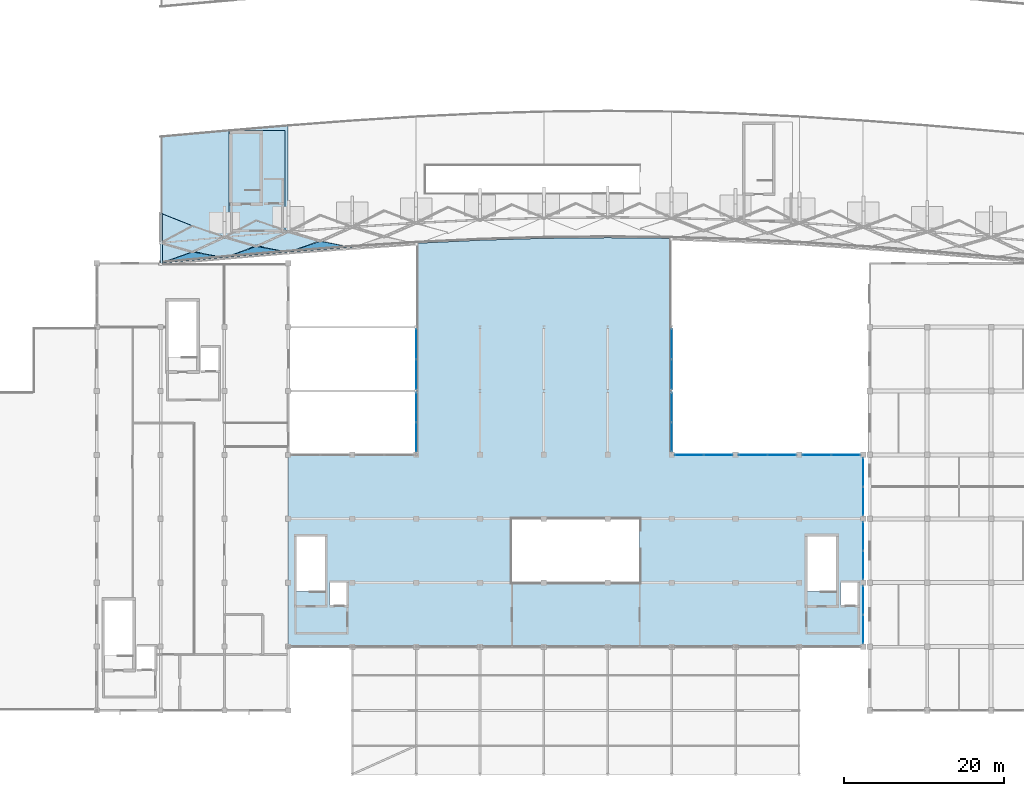
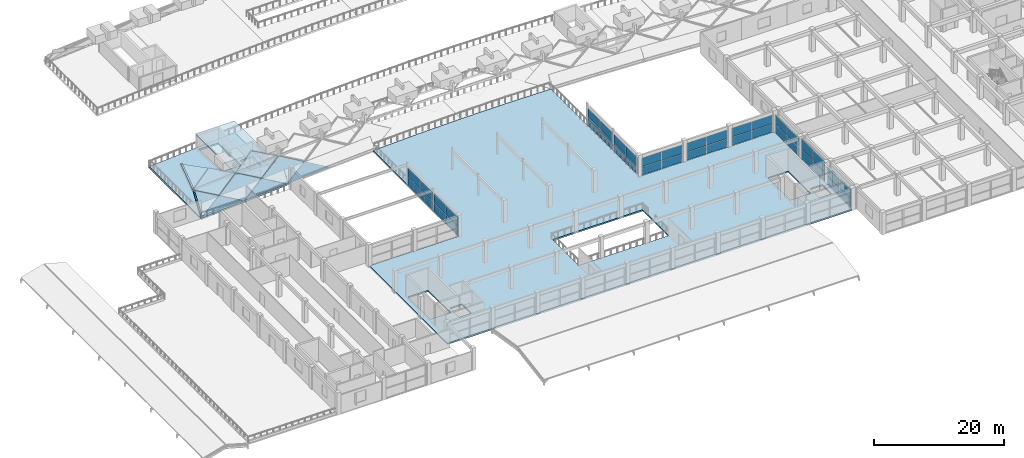
# One storey, part 35 of 67: 51 plates, 3 slabs, 10 elements without a shape of their own.
"""IFC4 building model written with IfcOpenShell, lengths in metres."""

from ifc_helpers import new_model, si_unit, direction, frame, origin, origin_2d, place, context, subcontext, project, spatial, polyline, rectangle, outline, extrude, material, layer, layer_set, type_object, element, aggregate, save


model = new_model("IFC4")

# Units and contexts
model_context = context("Model", 3, precision=1e-05, world=origin(), true_north=direction((0.0, 1.0)))
body_context = subcontext(model_context, "Body", "Model", "MODEL_VIEW")
ifc_project = project(units=[si_unit("LENGTHUNIT", "METRE"), si_unit("AREAUNIT", "SQUARE_METRE"), si_unit("VOLUMEUNIT", "CUBIC_METRE"), si_unit("PLANEANGLEUNIT", "RADIAN"), si_unit("MASSUNIT", "GRAM", prefix="KILO")], contexts=[model_context])

# Site, building, storey
site_placement = place(None, origin())
site = spatial("IfcSite", under=ifc_project, at=site_placement, CompositionType="ELEMENT")
building_placement = place(site_placement, origin())
building = spatial("IfcBuilding", under=site, at=building_placement, Name="Kenh Van Central Station", CompositionType="ELEMENT")
storey_placement = place(building_placement, frame((0.0, 0.0, 10.800048828125)))
storey = spatial("IfcBuildingStorey", under=building, at=storey_placement, Name="L02", CompositionType="ELEMENT", Elevation=10.800048828125)

# Curtain wall, plates
ifc_material_1 = material(Name="Champagne anodised aluminium", Category="aluminium")
curtain_wall_type_1 = type_object("IfcCurtainWallType", Name="CW-CONC-B", PredefinedType="NOTDEFINED", material=ifc_material_1)
curtain_wall_1_placement = place(storey_placement, origin())
curtain_wall_1 = element("IfcCurtainWall", 1, at=curtain_wall_1_placement, inside=storey, type_object=curtain_wall_type_1, Name="L02 curtain wall 170", PredefinedType="NOTDEFINED")
ifc_material_2 = material(Name="Double-glazed low-E laminated solar glass", Category="glass")
ifc_layer_1 = layer(ifc_material_2, 0.028076171875, Name="Double-glazed low-E laminated solar glass")
ifc_layer_set_1 = layer_set([ifc_layer_1], Name="Double-glazed low-E laminated solar glass")
plate_type_1 = type_object("IfcPlateType", Name="CWP-IGU-28", PredefinedType="CURTAIN_PANEL", material=ifc_layer_set_1)
plate_1_placement = place(storey_placement, frame((117.804443359375, 40.0, 0.072021484375), z_axis=(0.0, 0.0, 1.0), x_axis=(-1.0, 0.0, 0.0)))
plate_1 = element("IfcPlate", 2, at=plate_1_placement, type_object=plate_type_1, Name="CW-04 panel 1.1", PredefinedType="CURTAIN_PANEL", context=body_context, shape_type="SweptSolid", body=[
    extrude(rectangle(XDim=3.527099609375, YDim=0.028076171875, at=origin_2d()), origin(), (0.0, 0.0, 1.0), 1.5048828125),
])
plate_2_placement = place(storey_placement, frame((117.804443359375, 40.0, 1.648681640625), z_axis=(0.0, 0.0, 1.0), x_axis=(-1.0, 0.0, 0.0)))
plate_2 = element("IfcPlate", 3, at=plate_2_placement, type_object=plate_type_1, Name="CW-04 panel 1.2", PredefinedType="CURTAIN_PANEL", context=body_context, shape_type="SweptSolid", body=[
    extrude(rectangle(XDim=3.527099609375, YDim=0.028076171875, at=origin_2d()), origin(), (0.0, 0.0, 1.0), 1.63916015625),
])
plate_3_placement = place(storey_placement, frame((114.195556640625, 40.0, 0.072021484375), z_axis=(0.0, 0.0, 1.0), x_axis=(-1.0, 0.0, 0.0)))
plate_3 = element("IfcPlate", 4, at=plate_3_placement, type_object=plate_type_1, Name="CW-04 panel 2.1", PredefinedType="CURTAIN_PANEL", context=body_context, shape_type="SweptSolid", body=[
    extrude(rectangle(XDim=3.527099609375, YDim=0.028076171875, at=origin_2d()), origin(), (0.0, 0.0, 1.0), 1.5048828125),
])
plate_4_placement = place(storey_placement, frame((114.195556640625, 40.0, 1.648681640625), z_axis=(0.0, 0.0, 1.0), x_axis=(-1.0, 0.0, 0.0)))
plate_4 = element("IfcPlate", 5, at=plate_4_placement, type_object=plate_type_1, Name="CW-04 panel 2.2", PredefinedType="CURTAIN_PANEL", context=body_context, shape_type="SweptSolid", body=[
    extrude(rectangle(XDim=3.527099609375, YDim=0.028076171875, at=origin_2d()), origin(), (0.0, 0.0, 1.0), 1.63916015625),
])
aggregate(curtain_wall_1, [plate_1, plate_2, plate_3, plate_4])

curtain_wall_2_placement = place(storey_placement, origin())
curtain_wall_2 = element("IfcCurtainWall", 6, at=curtain_wall_2_placement, inside=storey, type_object=curtain_wall_type_1, Name="L02 curtain wall 171", PredefinedType="NOTDEFINED")
plate_5_placement = place(storey_placement, frame((109.804443359375, 40.0, 0.072021484375), z_axis=(0.0, 0.0, 1.0), x_axis=(-1.0, 0.0, 0.0)))
plate_5 = element("IfcPlate", 7, at=plate_5_placement, type_object=plate_type_1, Name="CW-04 panel 1.1", PredefinedType="CURTAIN_PANEL", context=body_context, shape_type="SweptSolid", body=[
    extrude(rectangle(XDim=3.527099609375, YDim=0.028076171875, at=origin_2d()), origin(), (0.0, 0.0, 1.0), 1.5048828125),
])
plate_6_placement = place(storey_placement, frame((109.804443359375, 40.0, 1.648681640625), z_axis=(0.0, 0.0, 1.0), x_axis=(-1.0, 0.0, 0.0)))
plate_6 = element("IfcPlate", 8, at=plate_6_placement, type_object=plate_type_1, Name="CW-04 panel 1.2", PredefinedType="CURTAIN_PANEL", context=body_context, shape_type="SweptSolid", body=[
    extrude(rectangle(XDim=3.527099609375, YDim=0.028076171875, at=origin_2d()), origin(), (0.0, 0.0, 1.0), 1.63916015625),
])
plate_7_placement = place(storey_placement, frame((106.195556640625, 40.0, 0.072021484375), z_axis=(0.0, 0.0, 1.0), x_axis=(-1.0, 0.0, 0.0)))
plate_7 = element("IfcPlate", 9, at=plate_7_placement, type_object=plate_type_1, Name="CW-04 panel 2.1", PredefinedType="CURTAIN_PANEL", context=body_context, shape_type="SweptSolid", body=[
    extrude(rectangle(XDim=3.527099609375, YDim=0.028076171875, at=origin_2d()), origin(), (0.0, 0.0, 1.0), 1.5048828125),
])
plate_8_placement = place(storey_placement, frame((106.195556640625, 40.0, 1.648681640625), z_axis=(0.0, 0.0, 1.0), x_axis=(-1.0, 0.0, 0.0)))
plate_8 = element("IfcPlate", 10, at=plate_8_placement, type_object=plate_type_1, Name="CW-04 panel 2.2", PredefinedType="CURTAIN_PANEL", context=body_context, shape_type="SweptSolid", body=[
    extrude(rectangle(XDim=3.527099609375, YDim=0.028076171875, at=origin_2d()), origin(), (0.0, 0.0, 1.0), 1.63916015625),
])
aggregate(curtain_wall_2, [plate_5, plate_6, plate_7, plate_8])

curtain_wall_3_placement = place(storey_placement, origin())
curtain_wall_3 = element("IfcCurtainWall", 11, at=curtain_wall_3_placement, inside=storey, type_object=curtain_wall_type_1, Name="L02 curtain wall 172", PredefinedType="NOTDEFINED")
plate_9_placement = place(storey_placement, frame((101.804443359375, 40.0, 0.072021484375), z_axis=(0.0, 0.0, 1.0), x_axis=(-1.0, 0.0, 0.0)))
plate_9 = element("IfcPlate", 12, at=plate_9_placement, type_object=plate_type_1, Name="CW-04 panel 1.1", PredefinedType="CURTAIN_PANEL", context=body_context, shape_type="SweptSolid", body=[
    extrude(rectangle(XDim=3.527099609375, YDim=0.028076171875, at=origin_2d()), origin(), (0.0, 0.0, 1.0), 1.5048828125),
])
plate_10_placement = place(storey_placement, frame((101.804443359375, 40.0, 1.648681640625), z_axis=(0.0, 0.0, 1.0), x_axis=(-1.0, 0.0, 0.0)))
plate_10 = element("IfcPlate", 13, at=plate_10_placement, type_object=plate_type_1, Name="CW-04 panel 1.2", PredefinedType="CURTAIN_PANEL", context=body_context, shape_type="SweptSolid", body=[
    extrude(rectangle(XDim=3.527099609375, YDim=0.028076171875, at=origin_2d()), origin(), (0.0, 0.0, 1.0), 1.63916015625),
])
plate_11_placement = place(storey_placement, frame((98.195556640625, 40.0, 0.072021484375), z_axis=(0.0, 0.0, 1.0), x_axis=(-1.0, 0.0, 0.0)))
plate_11 = element("IfcPlate", 14, at=plate_11_placement, type_object=plate_type_1, Name="CW-04 panel 2.1", PredefinedType="CURTAIN_PANEL", context=body_context, shape_type="SweptSolid", body=[
    extrude(rectangle(XDim=3.527099609375, YDim=0.028076171875, at=origin_2d()), origin(), (0.0, 0.0, 1.0), 1.5048828125),
])
plate_12_placement = place(storey_placement, frame((98.195556640625, 40.0, 1.648681640625), z_axis=(0.0, 0.0, 1.0), x_axis=(-1.0, 0.0, 0.0)))
plate_12 = element("IfcPlate", 15, at=plate_12_placement, type_object=plate_type_1, Name="CW-04 panel 2.2", PredefinedType="CURTAIN_PANEL", context=body_context, shape_type="SweptSolid", body=[
    extrude(rectangle(XDim=3.527099609375, YDim=0.028076171875, at=origin_2d()), origin(), (0.0, 0.0, 1.0), 1.63916015625),
])
aggregate(curtain_wall_3, [plate_9, plate_10, plate_11, plate_12])

curtain_wall_type_2 = type_object("IfcCurtainWallType", Name="CW-CONC-A", PredefinedType="NOTDEFINED", material=ifc_material_1)
curtain_wall_4_placement = place(storey_placement, origin())
curtain_wall_4 = element("IfcCurtainWall", 16, at=curtain_wall_4_placement, inside=storey, type_object=curtain_wall_type_2, Name="L02 curtain wall 173", PredefinedType="NOTDEFINED")
plate_13_placement = place(storey_placement, frame((64.0, 53.90380859375, 0.072021484375), z_axis=(0.0, 0.0, 1.0), x_axis=(0.0, -1.0, 0.0)))
plate_13 = element("IfcPlate", 17, at=plate_13_placement, type_object=plate_type_1, Name="CW-03 panel 1.1", PredefinedType="CURTAIN_PANEL", context=body_context, shape_type="SweptSolid", body=[
    extrude(rectangle(XDim=3.722412109375, YDim=0.028076171875, at=origin_2d()), origin(), (0.0, 0.0, 1.0), 1.5048828125),
])
plate_14_placement = place(storey_placement, frame((64.0, 53.90380859375, 1.648681640625), z_axis=(0.0, 0.0, 1.0), x_axis=(0.0, -1.0, 0.0)))
plate_14 = element("IfcPlate", 18, at=plate_14_placement, type_object=plate_type_1, Name="CW-03 panel 1.2", PredefinedType="CURTAIN_PANEL", context=body_context, shape_type="SweptSolid", body=[
    extrude(rectangle(XDim=3.722412109375, YDim=0.028076171875, at=origin_2d()), origin(), (0.0, 0.0, 1.0), 1.63916015625),
])
plate_15_placement = place(storey_placement, frame((64.0, 50.09619140625, 0.072021484375), z_axis=(0.0, 0.0, 1.0), x_axis=(0.0, -1.0, 0.0)))
plate_15 = element("IfcPlate", 19, at=plate_15_placement, type_object=plate_type_1, Name="CW-03 panel 2.1", PredefinedType="CURTAIN_PANEL", context=body_context, shape_type="SweptSolid", body=[
    extrude(rectangle(XDim=3.722412109375, YDim=0.028076171875, at=origin_2d()), origin(), (0.0, 0.0, 1.0), 1.5048828125),
])
plate_16_placement = place(storey_placement, frame((64.0, 50.09619140625, 1.648681640625), z_axis=(0.0, 0.0, 1.0), x_axis=(0.0, -1.0, 0.0)))
plate_16 = element("IfcPlate", 20, at=plate_16_placement, type_object=plate_type_1, Name="CW-03 panel 2.2", PredefinedType="CURTAIN_PANEL", context=body_context, shape_type="SweptSolid", body=[
    extrude(rectangle(XDim=3.722412109375, YDim=0.028076171875, at=origin_2d()), origin(), (0.0, 0.0, 1.0), 1.63916015625),
])
aggregate(curtain_wall_4, [plate_13, plate_14, plate_15, plate_16])

curtain_wall_5_placement = place(storey_placement, origin())
curtain_wall_5 = element("IfcCurtainWall", 21, at=curtain_wall_5_placement, inside=storey, type_object=curtain_wall_type_2, Name="L02 curtain wall 174", PredefinedType="NOTDEFINED")
plate_17_placement = place(storey_placement, frame((64.0, 45.953857421875, 0.072021484375), z_axis=(0.0, 0.0, 1.0), x_axis=(0.0, -1.0, 0.0)))
plate_17 = element("IfcPlate", 22, at=plate_17_placement, type_object=plate_type_1, Name="CW-03 panel 1.1", PredefinedType="CURTAIN_PANEL", context=body_context, shape_type="SweptSolid", body=[
    extrude(rectangle(XDim=3.62255859375, YDim=0.028076171875, at=origin_2d()), origin(), (0.0, 0.0, 1.0), 1.5048828125),
])
plate_18_placement = place(storey_placement, frame((64.0, 45.953857421875, 1.648681640625), z_axis=(0.0, 0.0, 1.0), x_axis=(0.0, -1.0, 0.0)))
plate_18 = element("IfcPlate", 23, at=plate_18_placement, type_object=plate_type_1, Name="CW-03 panel 1.2", PredefinedType="CURTAIN_PANEL", context=body_context, shape_type="SweptSolid", body=[
    extrude(rectangle(XDim=3.62255859375, YDim=0.028076171875, at=origin_2d()), origin(), (0.0, 0.0, 1.0), 1.63916015625),
])
plate_19_placement = place(storey_placement, frame((64.0, 42.246337890625, 0.072021484375), z_axis=(0.0, 0.0, 1.0), x_axis=(0.0, -1.0, 0.0)))
plate_19 = element("IfcPlate", 24, at=plate_19_placement, type_object=plate_type_1, Name="CW-03 panel 2.1", PredefinedType="CURTAIN_PANEL", context=body_context, shape_type="SweptSolid", body=[
    extrude(rectangle(XDim=3.62255859375, YDim=0.028076171875, at=origin_2d()), origin(), (0.0, 0.0, 1.0), 1.5048828125),
])
plate_20_placement = place(storey_placement, frame((64.0, 42.246337890625, 1.648681640625), z_axis=(0.0, 0.0, 1.0), x_axis=(0.0, -1.0, 0.0)))
plate_20 = element("IfcPlate", 25, at=plate_20_placement, type_object=plate_type_1, Name="CW-03 panel 2.2", PredefinedType="CURTAIN_PANEL", context=body_context, shape_type="SweptSolid", body=[
    extrude(rectangle(XDim=3.62255859375, YDim=0.028076171875, at=origin_2d()), origin(), (0.0, 0.0, 1.0), 1.63916015625),
])
aggregate(curtain_wall_5, [plate_17, plate_18, plate_19, plate_20])

curtain_wall_6_placement = place(storey_placement, origin())
curtain_wall_6 = element("IfcCurtainWall", 26, at=curtain_wall_6_placement, inside=storey, type_object=curtain_wall_type_1, Name="L02 curtain wall 175", PredefinedType="NOTDEFINED")
plate_21_placement = place(storey_placement, frame((96.0, 42.246337890625, 0.072021484375), z_axis=(0.0, 0.0, 1.0), x_axis=(0.0, 1.0, 0.0)))
plate_21 = element("IfcPlate", 27, at=plate_21_placement, type_object=plate_type_1, Name="CW-04 panel 1.1", PredefinedType="CURTAIN_PANEL", context=body_context, shape_type="SweptSolid", body=[
    extrude(rectangle(XDim=3.62255859375, YDim=0.028076171875, at=origin_2d()), origin(), (0.0, 0.0, 1.0), 1.5048828125),
])
plate_22_placement = place(storey_placement, frame((96.0, 42.246337890625, 1.648681640625), z_axis=(0.0, 0.0, 1.0), x_axis=(0.0, 1.0, 0.0)))
plate_22 = element("IfcPlate", 28, at=plate_22_placement, type_object=plate_type_1, Name="CW-04 panel 1.2", PredefinedType="CURTAIN_PANEL", context=body_context, shape_type="SweptSolid", body=[
    extrude(rectangle(XDim=3.62255859375, YDim=0.028076171875, at=origin_2d()), origin(), (0.0, 0.0, 1.0), 1.63916015625),
])
plate_23_placement = place(storey_placement, frame((96.0, 45.953857421875, 0.072021484375), z_axis=(0.0, 0.0, 1.0), x_axis=(0.0, 1.0, 0.0)))
plate_23 = element("IfcPlate", 29, at=plate_23_placement, type_object=plate_type_1, Name="CW-04 panel 2.1", PredefinedType="CURTAIN_PANEL", context=body_context, shape_type="SweptSolid", body=[
    extrude(rectangle(XDim=3.62255859375, YDim=0.028076171875, at=origin_2d()), origin(), (0.0, 0.0, 1.0), 1.5048828125),
])
plate_24_placement = place(storey_placement, frame((96.0, 45.953857421875, 1.648681640625), z_axis=(0.0, 0.0, 1.0), x_axis=(0.0, 1.0, 0.0)))
plate_24 = element("IfcPlate", 30, at=plate_24_placement, type_object=plate_type_1, Name="CW-04 panel 2.2", PredefinedType="CURTAIN_PANEL", context=body_context, shape_type="SweptSolid", body=[
    extrude(rectangle(XDim=3.62255859375, YDim=0.028076171875, at=origin_2d()), origin(), (0.0, 0.0, 1.0), 1.63916015625),
])
aggregate(curtain_wall_6, [plate_21, plate_22, plate_23, plate_24])

curtain_wall_7_placement = place(storey_placement, origin())
curtain_wall_7 = element("IfcCurtainWall", 31, at=curtain_wall_7_placement, inside=storey, type_object=curtain_wall_type_1, Name="L02 curtain wall 176", PredefinedType="NOTDEFINED")
plate_25_placement = place(storey_placement, frame((96.0, 50.09619140625, 0.072021484375), z_axis=(0.0, 0.0, 1.0), x_axis=(0.0, 1.0, 0.0)))
plate_25 = element("IfcPlate", 32, at=plate_25_placement, type_object=plate_type_1, Name="CW-04 panel 1.1", PredefinedType="CURTAIN_PANEL", context=body_context, shape_type="SweptSolid", body=[
    extrude(rectangle(XDim=3.722412109375, YDim=0.028076171875, at=origin_2d()), origin(), (0.0, 0.0, 1.0), 1.5048828125),
])
plate_26_placement = place(storey_placement, frame((96.0, 50.09619140625, 1.648681640625), z_axis=(0.0, 0.0, 1.0), x_axis=(0.0, 1.0, 0.0)))
plate_26 = element("IfcPlate", 33, at=plate_26_placement, type_object=plate_type_1, Name="CW-04 panel 1.2", PredefinedType="CURTAIN_PANEL", context=body_context, shape_type="SweptSolid", body=[
    extrude(rectangle(XDim=3.722412109375, YDim=0.028076171875, at=origin_2d()), origin(), (0.0, 0.0, 1.0), 1.63916015625),
])
plate_27_placement = place(storey_placement, frame((96.0, 53.90380859375, 0.072021484375), z_axis=(0.0, 0.0, 1.0), x_axis=(0.0, 1.0, 0.0)))
plate_27 = element("IfcPlate", 34, at=plate_27_placement, type_object=plate_type_1, Name="CW-04 panel 2.1", PredefinedType="CURTAIN_PANEL", context=body_context, shape_type="SweptSolid", body=[
    extrude(rectangle(XDim=3.722412109375, YDim=0.028076171875, at=origin_2d()), origin(), (0.0, 0.0, 1.0), 1.5048828125),
])
plate_28_placement = place(storey_placement, frame((96.0, 53.90380859375, 1.648681640625), z_axis=(0.0, 0.0, 1.0), x_axis=(0.0, 1.0, 0.0)))
plate_28 = element("IfcPlate", 35, at=plate_28_placement, type_object=plate_type_1, Name="CW-04 panel 2.2", PredefinedType="CURTAIN_PANEL", context=body_context, shape_type="SweptSolid", body=[
    extrude(rectangle(XDim=3.722412109375, YDim=0.028076171875, at=origin_2d()), origin(), (0.0, 0.0, 1.0), 1.63916015625),
])
aggregate(curtain_wall_7, [plate_25, plate_26, plate_27, plate_28])

curtain_wall_8_placement = place(storey_placement, origin())
curtain_wall_8 = element("IfcCurtainWall", 36, at=curtain_wall_8_placement, inside=storey, type_object=curtain_wall_type_1, Name="L02 curtain wall 177", PredefinedType="NOTDEFINED")
plate_29_placement = place(storey_placement, frame((120.0, 18.195556640625, 0.07177734375), z_axis=(0.0, 0.0, 1.0), x_axis=(0.0, 1.0, 0.0)))
plate_29 = element("IfcPlate", 37, at=plate_29_placement, type_object=plate_type_1, Name="CW-04 panel 1.1", PredefinedType="CURTAIN_PANEL", context=body_context, shape_type="SweptSolid", body=[
    extrude(rectangle(XDim=3.527099609375, YDim=0.028076171875, at=origin_2d()), origin(), (0.0, 0.0, 1.0), 1.544921875),
])
plate_30_placement = place(storey_placement, frame((120.0, 18.195556640625, 1.688720703125), z_axis=(0.0, 0.0, 1.0), x_axis=(0.0, 1.0, 0.0)))
plate_30 = element("IfcPlate", 38, at=plate_30_placement, type_object=plate_type_1, Name="CW-04 panel 1.2", PredefinedType="CURTAIN_PANEL", context=body_context, shape_type="SweptSolid", body=[
    extrude(rectangle(XDim=3.527099609375, YDim=0.028076171875, at=origin_2d()), origin(), (0.0, 0.0, 1.0), 1.6826171875),
])
plate_31_placement = place(storey_placement, frame((120.0, 21.804443359375, 0.07177734375), z_axis=(0.0, 0.0, 1.0), x_axis=(0.0, 1.0, 0.0)))
plate_31 = element("IfcPlate", 39, at=plate_31_placement, type_object=plate_type_1, Name="CW-04 panel 2.1", PredefinedType="CURTAIN_PANEL", context=body_context, shape_type="SweptSolid", body=[
    extrude(rectangle(XDim=3.527099609375, YDim=0.028076171875, at=origin_2d()), origin(), (0.0, 0.0, 1.0), 1.544921875),
])
plate_32_placement = place(storey_placement, frame((120.0, 21.804443359375, 1.688720703125), z_axis=(0.0, 0.0, 1.0), x_axis=(0.0, 1.0, 0.0)))
plate_32 = element("IfcPlate", 40, at=plate_32_placement, type_object=plate_type_1, Name="CW-04 panel 2.2", PredefinedType="CURTAIN_PANEL", context=body_context, shape_type="SweptSolid", body=[
    extrude(rectangle(XDim=3.527099609375, YDim=0.028076171875, at=origin_2d()), origin(), (0.0, 0.0, 1.0), 1.6826171875),
])
aggregate(curtain_wall_8, [plate_29, plate_30, plate_31, plate_32])

curtain_wall_9_placement = place(storey_placement, origin())
curtain_wall_9 = element("IfcCurtainWall", 41, at=curtain_wall_9_placement, inside=storey, type_object=curtain_wall_type_1, Name="L02 curtain wall 178", PredefinedType="NOTDEFINED")
plate_33_placement = place(storey_placement, frame((120.0, 26.195556640625, 0.072021484375), z_axis=(0.0, 0.0, 1.0), x_axis=(0.0, 1.0, 0.0)))
plate_33 = element("IfcPlate", 42, at=plate_33_placement, type_object=plate_type_1, Name="CW-04 panel 1.1", PredefinedType="CURTAIN_PANEL", context=body_context, shape_type="SweptSolid", body=[
    extrude(rectangle(XDim=3.527099609375, YDim=0.028076171875, at=origin_2d()), origin(), (0.0, 0.0, 1.0), 1.75439453125),
])
plate_34_placement = place(storey_placement, frame((120.0, 26.195556640625, 1.8984375), z_axis=(0.0, 0.0, 1.0), x_axis=(0.0, 1.0, 0.0)))
plate_34 = element("IfcPlate", 43, at=plate_34_placement, type_object=plate_type_1, Name="CW-04 panel 1.2", PredefinedType="CURTAIN_PANEL", context=body_context, shape_type="SweptSolid", body=[
    extrude(rectangle(XDim=3.527099609375, YDim=0.028076171875, at=origin_2d()), origin(), (0.0, 0.0, 1.0), 1.90966796875),
])
plate_35_placement = place(storey_placement, frame((120.0, 29.804443359375, 0.072021484375), z_axis=(0.0, 0.0, 1.0), x_axis=(0.0, 1.0, 0.0)))
plate_35 = element("IfcPlate", 44, at=plate_35_placement, type_object=plate_type_1, Name="CW-04 panel 2.1", PredefinedType="CURTAIN_PANEL", context=body_context, shape_type="SweptSolid", body=[
    extrude(rectangle(XDim=3.527099609375, YDim=0.028076171875, at=origin_2d()), origin(), (0.0, 0.0, 1.0), 1.75439453125),
])
plate_36_placement = place(storey_placement, frame((120.0, 29.804443359375, 1.8984375), z_axis=(0.0, 0.0, 1.0), x_axis=(0.0, 1.0, 0.0)))
plate_36 = element("IfcPlate", 45, at=plate_36_placement, type_object=plate_type_1, Name="CW-04 panel 2.2", PredefinedType="CURTAIN_PANEL", context=body_context, shape_type="SweptSolid", body=[
    extrude(rectangle(XDim=3.527099609375, YDim=0.028076171875, at=origin_2d()), origin(), (0.0, 0.0, 1.0), 1.90966796875),
])
aggregate(curtain_wall_9, [plate_33, plate_34, plate_35, plate_36])

curtain_wall_10_placement = place(storey_placement, origin())
curtain_wall_10 = element("IfcCurtainWall", 46, at=curtain_wall_10_placement, inside=storey, type_object=curtain_wall_type_1, Name="L02 curtain wall 179", PredefinedType="NOTDEFINED")
plate_37_placement = place(storey_placement, frame((120.0, 34.195556640625, 0.07177734375), z_axis=(0.0, 0.0, 1.0), x_axis=(0.0, 1.0, 0.0)))
plate_37 = element("IfcPlate", 47, at=plate_37_placement, type_object=plate_type_1, Name="CW-04 panel 1.1", PredefinedType="CURTAIN_PANEL", context=body_context, shape_type="SweptSolid", body=[
    extrude(rectangle(XDim=3.527099609375, YDim=0.028076171875, at=origin_2d()), origin(), (0.0, 0.0, 1.0), 1.544921875),
])
plate_38_placement = place(storey_placement, frame((120.0, 34.195556640625, 1.688720703125), z_axis=(0.0, 0.0, 1.0), x_axis=(0.0, 1.0, 0.0)))
plate_38 = element("IfcPlate", 48, at=plate_38_placement, type_object=plate_type_1, Name="CW-04 panel 1.2", PredefinedType="CURTAIN_PANEL", context=body_context, shape_type="SweptSolid", body=[
    extrude(rectangle(XDim=3.527099609375, YDim=0.028076171875, at=origin_2d()), origin(), (0.0, 0.0, 1.0), 1.6826171875),
])
plate_39_placement = place(storey_placement, frame((120.0, 37.804443359375, 0.07177734375), z_axis=(0.0, 0.0, 1.0), x_axis=(0.0, 1.0, 0.0)))
plate_39 = element("IfcPlate", 49, at=plate_39_placement, type_object=plate_type_1, Name="CW-04 panel 2.1", PredefinedType="CURTAIN_PANEL", context=body_context, shape_type="SweptSolid", body=[
    extrude(rectangle(XDim=3.527099609375, YDim=0.028076171875, at=origin_2d()), origin(), (0.0, 0.0, 1.0), 1.544921875),
])
plate_40_placement = place(storey_placement, frame((120.0, 37.804443359375, 1.688720703125), z_axis=(0.0, 0.0, 1.0), x_axis=(0.0, 1.0, 0.0)))
plate_40 = element("IfcPlate", 50, at=plate_40_placement, type_object=plate_type_1, Name="CW-04 panel 2.2", PredefinedType="CURTAIN_PANEL", context=body_context, shape_type="SweptSolid", body=[
    extrude(rectangle(XDim=3.527099609375, YDim=0.028076171875, at=origin_2d()), origin(), (0.0, 0.0, 1.0), 1.6826171875),
])
aggregate(curtain_wall_10, [plate_37, plate_38, plate_39, plate_40])

# Plates
ifc_material_3 = material(Name="White fluoropolymer structural steel S355", Category="steel")
ifc_layer_2 = layer(ifc_material_3, 0.010009765625, Name="White fluoropolymer structural steel S355")
ifc_layer_set_2 = layer_set([ifc_layer_2], Name="White fluoropolymer structural steel S355")
plate_type_2 = type_object("IfcPlateType", Name="PLT-FASCIA-SH2", PredefinedType="SHEET", material=ifc_layer_set_2)
plate_41_placement = place(storey_placement, frame((32.0, 64.0, 0.0), z_axis=(0.0, -0.827486468336, 0.561485658518), x_axis=(1.0, 0.0, 0.0)))
element("IfcPlate", 51, at=plate_41_placement, inside=storey, type_object=plate_type_2, Name="Vault portal arch trim plate 01", PredefinedType="SHEET", context=body_context, shape_type="SweptSolid", body=[
    extrude(outline(polyline([(0.0, 0.0), (0.260009765625, 0.0), (0.260009765625, 4.54595802341831), (0.0, 4.54595802341831), (0.0, 0.0)])), origin(), (0.0, 0.0, -1.0), 0.010009765625),
])
ifc_layer_3 = layer(ifc_material_3, 0.011962890625, Name="White fluoropolymer structural steel S355")
ifc_layer_set_3 = layer_set([ifc_layer_3], Name="White fluoropolymer structural steel S355")
plate_type_3 = type_object("IfcPlateType", Name="PLT-FASCIA-SH3", PredefinedType="SHEET", material=ifc_layer_set_3)
plate_42_placement = place(storey_placement, frame((32.0, 66.552490234375, 3.76171875), z_axis=(0.0, -0.58293315188, 0.812520116944), x_axis=(1.0, 0.0, 0.0)))
element("IfcPlate", 52, at=plate_42_placement, inside=storey, type_object=plate_type_3, Name="Vault portal arch trim plate 02", PredefinedType="SHEET", context=body_context, shape_type="SweptSolid", body=[
    extrude(outline(polyline([(0.0, 0.0), (0.260009765625, 0.0), (0.260009765625, 4.574706444937222), (0.0, 4.574706444937222), (0.0, 0.0)])), origin(), (0.0, 0.0, -1.0), 0.011962890625),
])
ifc_layer_4 = layer(ifc_material_2, 0.02197265625, Name="Double-glazed low-E laminated solar glass")
ifc_layer_set_4 = layer_set([ifc_layer_4], Name="Double-glazed low-E laminated solar glass")
plate_type_4 = type_object("IfcPlateType", Name="PLT-VAULT-GLZ1", PredefinedType="SHEET", material=ifc_layer_set_4)
plate_43_placement = place(storey_placement, frame((32.005859375, 64.005859375, 0.008544921875), z_axis=(0.007713839822, -0.82749167025, 0.561425001529), x_axis=(0.850585820039, 0.300633146498, 0.431420298521)))
element("IfcPlate", 53, at=plate_43_placement, inside=storey, type_object=plate_type_4, Name="Vault border triangle skylight pane 254", PredefinedType="SHEET", context=body_context, shape_type="SweptSolid", body=[
    extrude(outline(polyline([(0.0, 0.0), (4.681688361785902, 0.0), (2.379662036239701, 3.849259997182335), (0.0, 0.0)])), origin(), (0.0, 0.0, -1.0), 0.02197265625),
])
plate_44_placement = place(storey_placement, frame((32.01171875, 64.001953125, 0.001953125), z_axis=(0.078705331984, -0.883967207482, 0.460876823906), x_axis=(0.9960596646, 0.08868565023, 0.0)))
element("IfcPlate", 54, at=plate_44_placement, inside=storey, type_object=plate_type_4, Name="Vault border triangle skylight pane 278", PredefinedType="SHEET", context=body_context, shape_type="SweptSolid", body=[
    extrude(outline(polyline([(0.0, 0.0), (8.008117167561974, 0.0), (4.097280279842071, 2.2717687960819193), (0.0, 0.0)])), origin(), (0.0, 0.0, -1.0), 0.02197265625),
])
ifc_layer_5 = layer(ifc_material_2, 0.027099609375, Name="Double-glazed low-E laminated solar glass")
ifc_layer_set_5 = layer_set([ifc_layer_5], Name="Double-glazed low-E laminated solar glass")
plate_type_5 = type_object("IfcPlateType", Name="PLT-VAULT-GLZ3", PredefinedType="SHEET", material=ifc_layer_set_5)
plate_45_placement = place(storey_placement, frame((32.005859375, 66.56103515625, 3.767822265625), z_axis=(0.015140538407, -0.582885461561, 0.81241325863), x_axis=(0.840464519857, 0.447567581355, 0.305454826418)))
element("IfcPlate", 55, at=plate_45_placement, inside=storey, type_object=plate_type_5, Name="Vault border triangle skylight pane 256", PredefinedType="SHEET", context=body_context, shape_type="SweptSolid", body=[
    extrude(outline(polyline([(0.0, 0.0), (4.738067628427338, 1.1102230246251565e-16), (2.4674147887023232, 3.827687823661167), (0.0, 0.0)])), origin(), (0.0, 0.0, -1.0), 0.027099609375),
])
plate_46_placement = place(storey_placement, frame((40.01171875, 64.714111328125, 0.001953125), z_axis=(0.074682622097, -0.883428902659, 0.462575269447), x_axis=(0.996445768394, 0.08423675356, 0.0)))
element("IfcPlate", 56, at=plate_46_placement, inside=storey, type_object=plate_type_5, Name="Vault border triangle skylight pane 280", PredefinedType="SHEET", context=body_context, shape_type="SweptSolid", body=[
    extrude(outline(polyline([(0.0, 0.0), (8.005014174387462, 0.0), (4.091432800668404, 2.2740342110816334), (0.0, 0.0)])), origin(), (0.0, 0.0, -1.0), 0.027099609375),
])
ifc_layer_6 = layer(ifc_material_2, 0.029052734375, Name="Double-glazed low-E laminated solar glass")
ifc_layer_set_6 = layer_set([ifc_layer_6], Name="Double-glazed low-E laminated solar glass")
plate_type_6 = type_object("IfcPlateType", Name="PLT-VAULT-GLZ4", PredefinedType="SHEET", material=ifc_layer_set_6)
plate_47_placement = place(storey_placement, frame((32.005859375, 66.621826171875, 3.691650390625), z_axis=(0.062102706256, -0.696723752884, 0.714646252381), x_axis=(0.891834554027, -0.282719749481, -0.35312982244)))
element("IfcPlate", 57, at=plate_47_placement, inside=storey, type_object=plate_type_6, Name="Vault planar diamond skylight pane 001", PredefinedType="SHEET", context=body_context, shape_type="SweptSolid", body=[
    extrude(outline(polyline([(0.0, 0.0), (4.485415486945973, 2.220446049250313e-16), (6.912652995293289, 4.041995403326459), (2.4467682120066634, 4.057628077107149), (0.0, 0.0)])), origin(), (0.0, 0.0, -1.0), 0.029052734375),
])
plate_48_placement = place(storey_placement, frame((36.002197265625, 65.525146484375, 1.953857421875), z_axis=(0.07222475454, -0.825307172716, 0.560046119079), x_axis=(0.887427014601, -0.203125837624, -0.413779153469)))
element("IfcPlate", 58, at=plate_48_placement, inside=storey, type_object=plate_type_6, Name="Vault planar diamond skylight pane 011", PredefinedType="SHEET", context=body_context, shape_type="SweptSolid", body=[
    extrude(outline(polyline([(0.0, 0.0), (4.515948207344739, 0.0), (6.936804537691616, 3.998127456504291), (2.451745217995221, 4.023209850463404), (0.0, 0.0)])), origin(), (0.0, 0.0, -1.0), 0.029052734375),
])
ifc_layer_7 = layer(ifc_material_2, 0.031005859375, Name="Double-glazed low-E laminated solar glass")
ifc_layer_set_7 = layer_set([ifc_layer_7], Name="Double-glazed low-E laminated solar glass")
plate_type_7 = type_object("IfcPlateType", Name="PLT-VAULT-GLZ5", PredefinedType="SHEET", material=ifc_layer_set_7)
plate_49_placement = place(storey_placement, frame((48.01171875, 65.390380859375, 0.001953125), z_axis=(0.066986760815, -0.883208817337, 0.464171260262), x_axis=(0.99713613591, 0.075627550954, 0.0)))
element("IfcPlate", 59, at=plate_49_placement, inside=storey, type_object=plate_type_7, Name="Vault border triangle skylight pane 282", PredefinedType="SHEET", context=body_context, shape_type="SweptSolid", body=[
    extrude(outline(polyline([(0.0, 0.0), (7.9994719003178725, 0.0), (4.079868657957355, 2.276176785556184), (0.0, 0.0)])), origin(), (0.0, 0.0, -1.0), 0.031005859375),
])
ifc_layer_8 = layer(ifc_material_2, 0.034912109375, Name="Double-glazed low-E laminated solar glass")
ifc_layer_set_8 = layer_set([ifc_layer_8], Name="Double-glazed low-E laminated solar glass")
plate_type_8 = type_object("IfcPlateType", Name="PLT-VAULT-GLZ6", PredefinedType="SHEET", material=ifc_layer_set_8)
plate_50_placement = place(storey_placement, frame((40.006103515625, 67.3349609375, 3.6904296875), z_axis=(0.058995640367, -0.696800977719, 0.714834184876), x_axis=(0.891084770364, -0.286030026955, -0.352356007053)))
element("IfcPlate", 60, at=plate_50_placement, inside=storey, type_object=plate_type_8, Name="Vault planar diamond skylight pane 019", PredefinedType="SHEET", context=body_context, shape_type="SweptSolid", body=[
    extrude(outline(polyline([(0.0, 0.0), (4.48863181599391, 1.1102230246251565e-16), (6.914515909494655, 4.032690328433896), (2.4416904174150638, 4.053455213720982), (0.0, 0.0)])), origin(), (0.0, 0.0, -1.0), 0.034912109375),
])
plate_51_placement = place(storey_placement, frame((44.0029296875, 66.225341796875, 1.952880859375), z_axis=(0.066763144029, -0.825557139945, 0.560355325919), x_axis=(0.886498993342, -0.208649505072, -0.413019271751)))
element("IfcPlate", 61, at=plate_51_placement, inside=storey, type_object=plate_type_8, Name="Vault planar diamond skylight pane 029", PredefinedType="SHEET", context=body_context, shape_type="SweptSolid", body=[
    extrude(outline(polyline([(0.0, 0.0), (4.51901823800416, -2.220446049250313e-16), (6.936603143772444, 3.9895761475980183), (2.443849172734901, 4.017645781141532), (0.0, 0.0)])), origin(), (0.0, 0.0, -1.0), 0.034912109375),
])

# Slabs
ifc_material_4 = material(Name="Concrete C35/45", Category="concrete")
ifc_layer_9 = layer(ifc_material_4, 0.27001953125, Name="Concrete C35/45")
ifc_layer_set_9 = layer_set([ifc_layer_9], Name="Concrete C35/45")
slab_type_1 = type_object("IfcSlabType", Name="SLB-FLR-270", PredefinedType="FLOOR", material=ifc_layer_set_9)
slab_1_placement = place(storey_placement, frame((0.0, 0.0, -0.27001953125)))
element("IfcSlab", 62, at=slab_1_placement, inside=storey, type_object=slab_type_1, Name="L02 slab SLB-L02-CONC", PredefinedType="FLOOR", context=body_context, shape_type="SweptSolid", body=[
    extrude(outline(polyline([(48.03759765625, 16.0), (119.96240234375, 16.0), (119.96240234375, 40.0), (96.0, 40.0), (96.0, 67.119873046875), (88.0, 67.199951171875), (80.0, 67.119873046875), (72.0, 66.883056640625), (64.0, 66.501953125), (64.0, 40.0), (48.03759765625, 40.0), (48.03759765625, 16.0)]), holes=[polyline([(119.300048828125, 21.199951171875), (117.14990234375, 21.199951171875), (117.14990234375, 24.0), (119.300048828125, 24.0), (119.300048828125, 21.199951171875)]), polyline([(113.0, 22.9150390625), (113.0, 29.800048828125), (116.60009765625, 29.800048828125), (116.60009765625, 22.9150390625), (113.0, 22.9150390625)]), polyline([(76.0, 24.0), (76.0, 32.0), (92.0, 32.0), (92.0, 24.0), (76.0, 24.0)]), polyline([(53.14990234375, 21.199951171875), (53.14990234375, 24.0), (55.300048828125, 24.0), (55.300048828125, 21.199951171875), (53.14990234375, 21.199951171875)]), polyline([(52.60009765625, 22.9150390625), (49.0, 22.9150390625), (49.0, 29.800048828125), (52.60009765625, 29.800048828125), (52.60009765625, 22.9150390625)])]), origin(), (0.0, 0.0, 1.0), 0.27001953125),
])
ifc_material_5 = material(Name="Concrete C40/50", Category="concrete")
ifc_layer_10 = layer(ifc_material_5, 0.320068359375, Name="Concrete C40/50")
ifc_layer_set_10 = layer_set([ifc_layer_10], Name="Concrete C40/50")
slab_type_2 = type_object("IfcSlabType", Name="SLB-FLR-320", PredefinedType="FLOOR", material=ifc_layer_set_10)
slab_2_placement = place(storey_placement, frame((0.0, 0.0, -0.320068359375)))
element("IfcSlab", 63, at=slab_2_placement, inside=storey, type_object=slab_type_2, Name="L02 slab SLB-L02-PS1", PredefinedType="FLOOR", context=body_context, shape_type="SweptSolid", body=[
    extrude(outline(polyline([(32.0, 64.0), (39.981201171875, 64.71044921875), (47.96240234375, 65.385498046875), (47.96240234375, 81.385498046875), (39.981201171875, 80.71044921875), (32.0, 80.0), (32.0, 64.0)]), holes=[polyline([(47.14990234375, 71.60009765625), (44.949951171875, 71.60009765625), (44.949951171875, 74.39990234375), (47.14990234375, 74.39990234375), (47.14990234375, 71.60009765625)]), polyline([(41.0, 73.215087890625), (41.0, 80.199951171875), (44.39990234375, 80.199951171875), (44.39990234375, 73.215087890625), (41.0, 73.215087890625)])]), origin(), (0.0, 0.0, 1.0), 0.320068359375),
])
ifc_layer_11 = layer(ifc_material_4, 0.1650390625, Name="Concrete C35/45")
ifc_layer_set_11 = layer_set([ifc_layer_11], Name="Concrete C35/45")
slab_type_3 = type_object("IfcSlabType", Name="SLB-ROOF-165", PredefinedType="ROOF", material=ifc_layer_set_11)
slab_3_placement = place(storey_placement, frame((0.0, 0.0, 2.64990234375)))
element("IfcSlab", 64, at=slab_3_placement, inside=storey, type_object=slab_type_3, Name="L02 CORE-05 interior core cap slab", PredefinedType="ROOF", context=body_context, shape_type="SweptSolid", body=[
    extrude(outline(polyline([(40.60009765625, 67.93994140625), (47.550048828125, 67.93994140625), (47.550048828125, 80.60009765625), (40.60009765625, 80.60009765625), (40.60009765625, 67.93994140625)])), origin(), (0.0, 0.0, 1.0), 0.1650390625),
])

save(model, "model.ifc")
